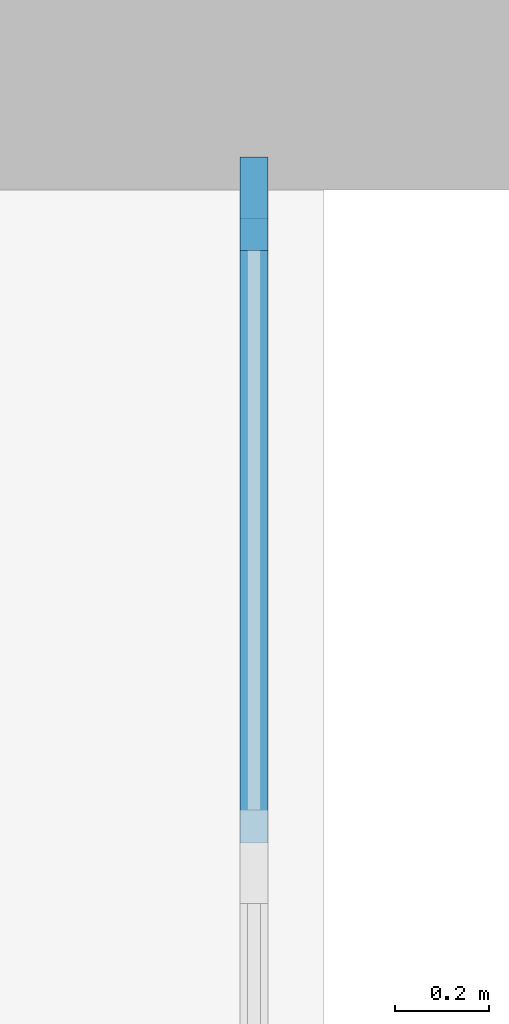
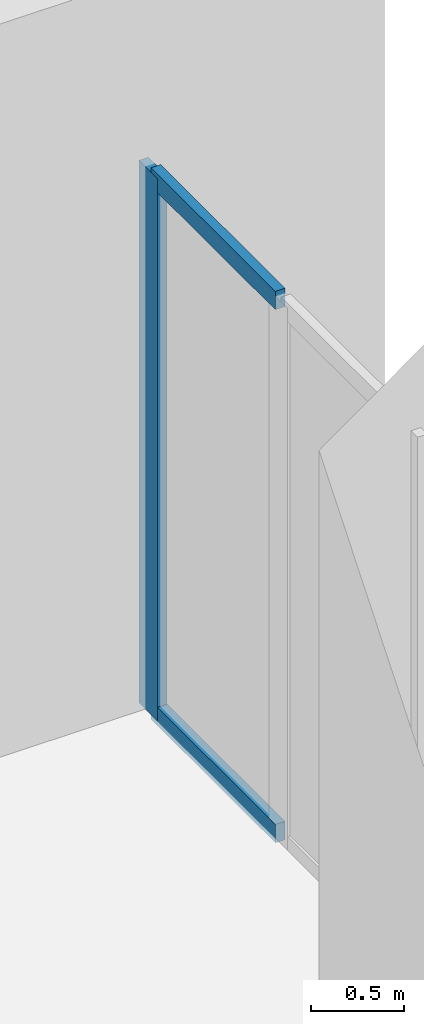
# One storey, part 6 of 32: 3 members, 1 element without a shape of its own.
"""IFC4 building model written with IfcOpenShell, lengths in metres."""

from ifc_helpers import new_model, si_unit, direction, frame, origin, origin_2d, place, context, subcontext, project, spatial, rectangle, extrude, material, material_profile, profile_set, type_object, element, aggregate, save


model = new_model("IFC4")

# Units and contexts
model_context = context("Model", 3, precision=1e-05, world=origin(), true_north=direction((0.0, 1.0)))
body_context = subcontext(model_context, "Body", "Model", "MODEL_VIEW")
ifc_project = project(units=[si_unit("LENGTHUNIT", "METRE"), si_unit("AREAUNIT", "SQUARE_METRE"), si_unit("VOLUMEUNIT", "CUBIC_METRE"), si_unit("PLANEANGLEUNIT", "RADIAN"), si_unit("MASSUNIT", "GRAM", prefix="KILO")], contexts=[model_context])

# Site, building, storey
site_placement = place(None, origin())
site = spatial("IfcSite", under=ifc_project, at=site_placement, CompositionType="ELEMENT")
building_placement = place(site_placement, origin())
building = spatial("IfcBuilding", under=site, at=building_placement, Name="Hunhe Ridgeline Campus", CompositionType="ELEMENT")
storey_placement = place(building_placement, frame((0.0, 0.0, 26.39990234375)))
storey = spatial("IfcBuildingStorey", under=building, at=storey_placement, Name="L05", CompositionType="ELEMENT", Elevation=26.39990234375)

# Curtain wall, members
ifc_material_1 = material(Name="Aluminium and glass", Category="aluminium")
curtain_wall_type = type_object("IfcCurtainWallType", Name="Podium curtain wall CW-2", PredefinedType="NOTDEFINED", material=ifc_material_1)
curtain_wall_placement = place(storey_placement, origin())
curtain_wall = element("IfcCurtainWall", 1, at=curtain_wall_placement, inside=storey, type_object=curtain_wall_type, Name="L05 podium curtain wall 8", PredefinedType="NOTDEFINED")
ifc_material_2 = material(Name="Aluminium", Category="aluminium")
ifc_material_profile_1 = material_profile(ifc_material_2, rectangle(XDim=0.06005859375, YDim=0.199951171875, at=origin_2d()))
ifc_profile_set_1 = profile_set([ifc_material_profile_1], Name="Aluminium")
member_type_1 = type_object("IfcMemberType", Name="CW-2 mullion 60x200", PredefinedType="MULLION", material=ifc_profile_set_1)
member_1_placement = place(storey_placement, frame((98.85009765625, 93.570068359375, 0.0), z_axis=(0.0, 0.0, 1.0), x_axis=(-1.0, 0.0, 0.0)))
member_1 = element("IfcMember", 2, at=member_1_placement, type_object=member_type_1, Name="CW2 mullion 3", PredefinedType="MULLION", context=body_context, shape_type="SweptSolid", body=[
    extrude(rectangle(XDim=0.06005859375, YDim=0.199951171875, at=origin_2d()), origin(), (0.0, 0.0, 1.0), 3.550048828125),
])
ifc_material_profile_2 = material_profile(ifc_material_2, rectangle(XDim=0.06005859375, YDim=0.1201171875, at=origin_2d()))
ifc_profile_set_2 = profile_set([ifc_material_profile_2], Name="Aluminium")
member_type_2 = type_object("IfcMemberType", Name="CW-2 transom 60x120", PredefinedType="USERDEFINED", material=ifc_profile_set_2)
member_2_placement = place(storey_placement, frame((98.85009765625, 92.205078125, 0.030029296875), z_axis=(0.0, 1.0, 0.0), x_axis=(-1.0, 0.0, 0.0)))
member_2 = element("IfcMember", 3, at=member_2_placement, type_object=member_type_2, Name="CW2 transom 2.1", ObjectType="TRANSOM", PredefinedType="USERDEFINED", context=body_context, shape_type="SweptSolid", body=[
    extrude(rectangle(XDim=0.06005859375, YDim=0.1201171875, at=origin_2d()), origin(), (0.0, 0.0, 1.0), 1.3349609375),
])
member_3_placement = place(storey_placement, frame((98.85009765625, 92.205078125, 3.52001953125), z_axis=(0.0, 1.0, 0.0), x_axis=(-1.0, 0.0, 0.0)))
member_3 = element("IfcMember", 4, at=member_3_placement, type_object=member_type_2, Name="CW2 transom 2.2", ObjectType="TRANSOM", PredefinedType="USERDEFINED", context=body_context, shape_type="SweptSolid", body=[
    extrude(rectangle(XDim=0.06005859375, YDim=0.1201171875, at=origin_2d()), origin(), (0.0, 0.0, 1.0), 1.3349609375),
])
aggregate(curtain_wall, [member_1, member_2, member_3])

save(model, "model.ifc")
